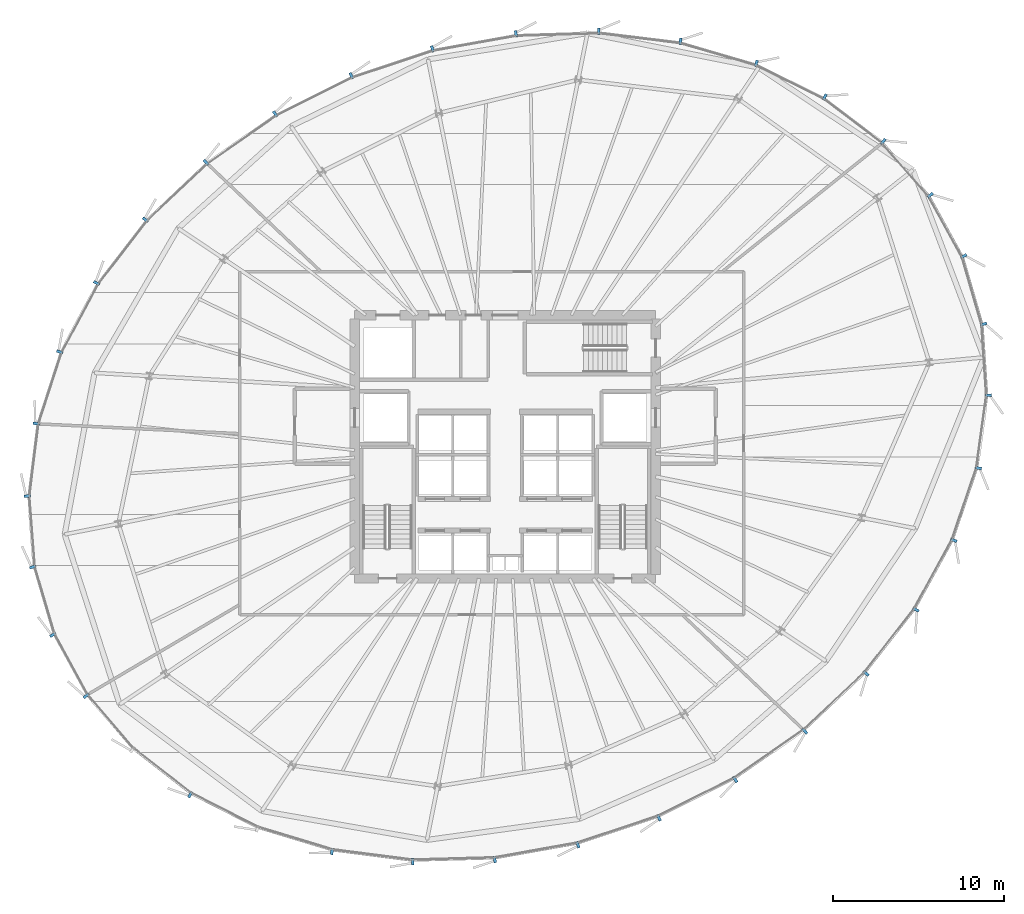
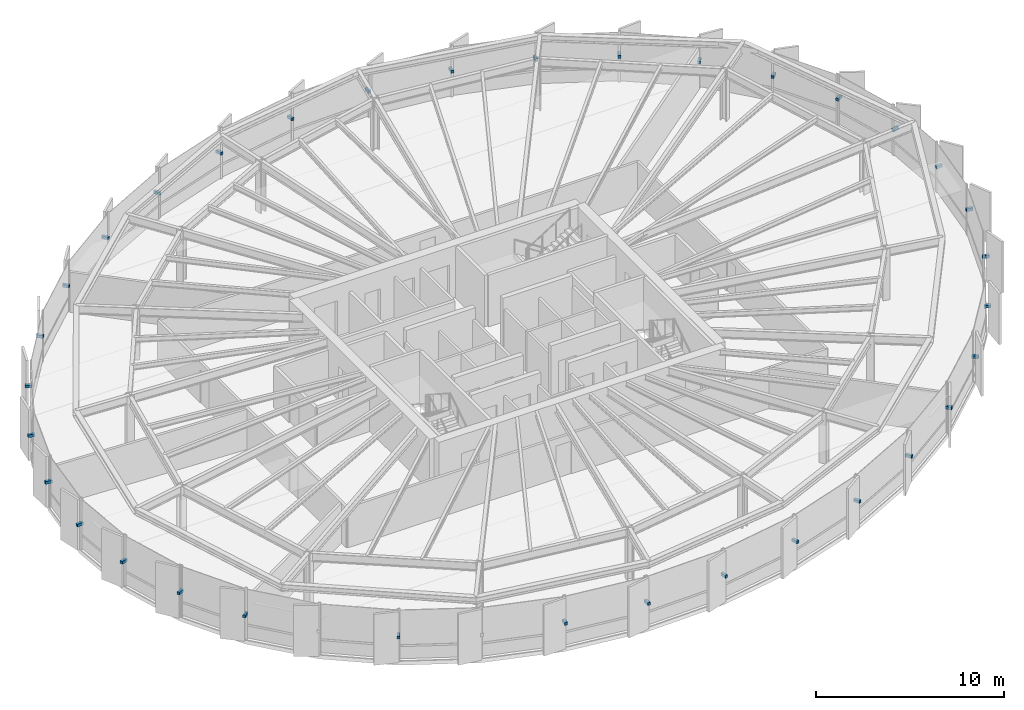
# One storey, part 30 of 34: 34 discrete accessories.
"""IFC4 building model written with IfcOpenShell, lengths in metres."""

from ifc_helpers import new_model, si_unit, direction, frame, origin, origin_2d, place, context, subcontext, project, spatial, rectangle, extrude, source, transform, mapped, material, type_object, element, save


model = new_model("IFC4")

# Units and contexts
model_context = context("Model", 3, precision=1e-05, world=origin(), true_north=direction((0.0, 1.0)))
body_context = subcontext(model_context, "Body", "Model", "MODEL_VIEW")
ifc_project = project(units=[si_unit("LENGTHUNIT", "METRE"), si_unit("AREAUNIT", "SQUARE_METRE"), si_unit("VOLUMEUNIT", "CUBIC_METRE"), si_unit("PLANEANGLEUNIT", "RADIAN"), si_unit("MASSUNIT", "GRAM", prefix="KILO"), si_unit("THERMODYNAMICTEMPERATUREUNIT", "KELVIN")], contexts=[model_context])

# Site, building, storey
site_placement = place(None, origin())
site = spatial("IfcSite", under=ifc_project, at=site_placement, CompositionType="ELEMENT")
building_placement = place(site_placement, origin())
building = spatial("IfcBuilding", under=site, at=building_placement, Name="Kethvar Cultural Tower", CompositionType="ELEMENT")
storey_placement = place(building_placement, frame((0.0, 0.0, 125.199951171875)))
storey = spatial("IfcBuildingStorey", under=building, at=storey_placement, Name="L31", CompositionType="ELEMENT", Elevation=125.199951171875)

# Discrete accessories
ifc_material = material(Name="Steel S355J2", Category="steel")
discrete_accessory_type = type_object("IfcDiscreteAccessoryType", Name="Steel Fin Bracket BRK-01", PredefinedType="BRACKET", material=ifc_material)
shared_shape = source(origin(), body_context, "Body", "SweptSolid", [
    extrude(rectangle(XDim=0.3798828125, YDim=0.159912109375, at=origin_2d()), origin(), (0.0, 0.0, 1.0), 0.179931640625),
])
for number, where, z_axis, x_axis, name in (
    (1, (73.61328125, 38.94970703125, 1.5849609375), (0.0, 0.0, 1.0), (0.876306680044, 0.481753674102, 0.0), "L31 Terracotta Fin Bracket 1.1"),
    (2, (71.655517578125, 42.5107421875, 1.5849609375), (0.0, 0.0, 1.0), (0.752874577493, 0.658164014943, 0.0), "L31 Terracotta Fin Bracket 1.2"),
    (3, (68.90869140625, 45.65283203125, 1.5849609375), (0.0, 0.0, 1.0), (0.603764659327, 0.797162615875, 0.0), "L31 Terracotta Fin Bracket 1.3"),
    (4, (65.480712890625, 48.24853515625, 1.5849609375), (0.0, 0.0, 1.0), (0.442758231039, 0.896641036785, 0.0), "L31 Terracotta Fin Bracket 1.4"),
    (5, (61.4833984375, 50.221923828125, 1.5849609375), (0.0, 0.0, 1.0), (0.280164117595, 0.959952117146, 0.0), "L31 Terracotta Fin Bracket 1.5"),
    (6, (57.046630859375, 51.516845703125, 1.5849609375), (0.0, 0.0, 1.0), (0.121696109567, 0.992567406737, 0.0), "L31 Terracotta Fin Bracket 1.6"),
    (7, (52.273681640625, 52.095458984375, 1.5849609375), (0.0, 0.0, 1.0), (-0.030712964265, 0.999528245637, 0.0), "L31 Terracotta Fin Bracket 2.1"),
    (8, (47.43017578125, 51.9462890625, 1.5849609375), (0.0, 0.0, 1.0), (-0.176569392453, 0.984288194407, 0.0), "L31 Terracotta Fin Bracket 2.2"),
    (9, (42.548828125, 51.071044921875, 1.5849609375), (0.0, 0.0, 1.0), (-0.315649036947, 0.948876011644, 0.0), "L31 Terracotta Fin Bracket 2.3"),
    (10, (37.812744140625, 49.495361328125, 1.5849609375), (0.0, 0.0, 1.0), (-0.447759087839, 0.894154236839, 0.0), "L31 Terracotta Fin Bracket 2.4"),
    (11, (33.354248046875, 47.26220703125, 1.5849609375), (0.0, 0.0, 1.0), (-0.572002721226, 0.820251721675, 0.0), "L31 Terracotta Fin Bracket 2.5"),
    (12, (29.30419921875, 44.43798828125, 1.5849609375), (0.0, 0.0, 1.0), (-0.687341091345, 0.726334787924, 0.0), "L31 Terracotta Fin Bracket 2.6"),
    (13, (25.761962890625, 41.077392578125, 1.5849609375), (0.0, 0.0, 1.0), (-0.791863488633, 0.610698137684, 0.0), "L31 Terracotta Fin Bracket 3.1"),
    (14, (22.90576171875, 37.3740234375, 1.5849609375), (0.0, 0.0, 1.0), (-0.881633139939, 0.471935383883, 0.0), "L31 Terracotta Fin Bracket 3.2"),
    (15, (20.751708984375, 33.348876953125, 1.5849609375), (0.0, 0.0, 1.0), (-0.951056516295, 0.309016994375, 0.0), "L31 Terracotta Fin Bracket 3.3"),
    (16, (19.388916015625, 29.15478515625, 1.5849609375), (0.0, 0.0, 1.0), (-0.99226708428, 0.124121043561, 0.0), "L31 Terracotta Fin Bracket 3.4"),
    (17, (18.859130859375, 24.919677734375, 1.5849609375), (0.0, 0.0, 1.0), (-0.997052752227, -0.076719028127, 0.0), "L31 Terracotta Fin Bracket 3.5"),
    (18, (19.178466796875, 20.77197265625, 1.5849609375), (0.0, 0.0, 1.0), (-0.959264682049, -0.282508884416, 0.0), "L31 Terracotta Fin Bracket 3.6"),
    (19, (20.355712890625, 16.803466796875, 1.5849609375), (0.0, 0.0, 1.0), (-0.878066509545, -0.478538613714, 0.0), "L31 Terracotta Fin Bracket 4.1"),
    (20, (22.30029296875, 13.236572265625, 1.5849609375), (0.0, 0.0, 1.0), (-0.759271307335, -0.650774217266, 0.0), "L31 Terracotta Fin Bracket 4.2"),
    (21, (28.377197265625, 7.45849609375, 1.5849609375), (0.0, 0.0, 1.0), (-0.45399049974, -0.891006524188, 0.0), "L31 Terracotta Fin Bracket 4.4"),
    (22, (36.675537109375, 4.134033203125, 1.5849609375), (0.0, 0.0, 1.0), (-0.128103248172, -0.991760837, 0.0), "L31 Terracotta Fin Bracket 4.6"),
    (23, (41.3916015625, 3.53125, 1.5849609375), (0.0, 0.0, 1.0), (0.027572707275, -0.999619800631, 0.0), "L31 Terracotta Fin Bracket 5.1"),
    (24, (46.19482421875, 3.663818359375, 1.5849609375), (0.0, 0.0, 1.0), (0.17553855164, -0.984472557712, 0.0), "L31 Terracotta Fin Bracket 5.2"),
    (25, (51.055908203125, 4.531005859375, 1.5849609375), (0.0, 0.0, 1.0), (0.315649036947, -0.948876011644, 0.0), "L31 Terracotta Fin Bracket 5.3"),
    (26, (55.787353515625, 6.104736328125, 1.5849609375), (0.0, 0.0, 1.0), (0.447759087839, -0.894154236839, 0.0), "L31 Terracotta Fin Bracket 5.4"),
    (27, (60.250244140625, 8.339599609375, 1.5849609375), (0.0, 0.0, 1.0), (0.571143442153, -0.820850271661, 0.0), "L31 Terracotta Fin Bracket 5.5"),
    (28, (64.32080078125, 11.17236328125, 1.5849609375), (0.0, 0.0, 1.0), (0.685055855175, -0.72849054578, 0.0), "L31 Terracotta Fin Bracket 5.6"),
    (29, (67.903564453125, 14.549560546875, 1.5849609375), (0.0, 0.0, 1.0), (0.787903288407, -0.61579899977, 0.0), "L31 Terracotta Fin Bracket 6.1"),
    (30, (70.816650390625, 18.276611328125, 1.5849609375), (0.0, 0.0, 1.0), (0.876894599045, -0.480682704252, 0.0), "L31 Terracotta Fin Bracket 6.2"),
    (31, (73.0380859375, 22.32958984375, 1.5849609375), (0.0, 0.0, 1.0), (0.947098304995, -0.320943609807, 0.0), "L31 Terracotta Fin Bracket 6.3"),
    (32, (74.468994140625, 26.5517578125, 1.5849609375), (0.0, 0.0, 1.0), (0.990605176244, -0.136753006543, 0.0), "L31 Terracotta Fin Bracket 6.4"),
    (33, (75.05712890625, 30.811279296875, 1.5849609375), (0.0, 0.0, 1.0), (0.997754957227, 0.066970481029, 0.0), "L31 Terracotta Fin Bracket 6.5"),
    (34, (74.777099609375, 34.9755859375, 1.5849609375), (0.0, 0.0, 1.0), (0.960293685677, 0.278991106039, 0.0), "L31 Terracotta Fin Bracket 6.6"),
):
    element("IfcDiscreteAccessory", number, at=place(storey_placement, frame(where, z_axis=z_axis, x_axis=x_axis)), inside=storey, type_object=discrete_accessory_type, Name=name, PredefinedType="BRACKET", context=body_context, shape_type="MappedRepresentation", body=[
        mapped(shared_shape, transform((0.0, 0.0, 0.0), scale=1.0)),
    ])

save(model, "model.ifc")
